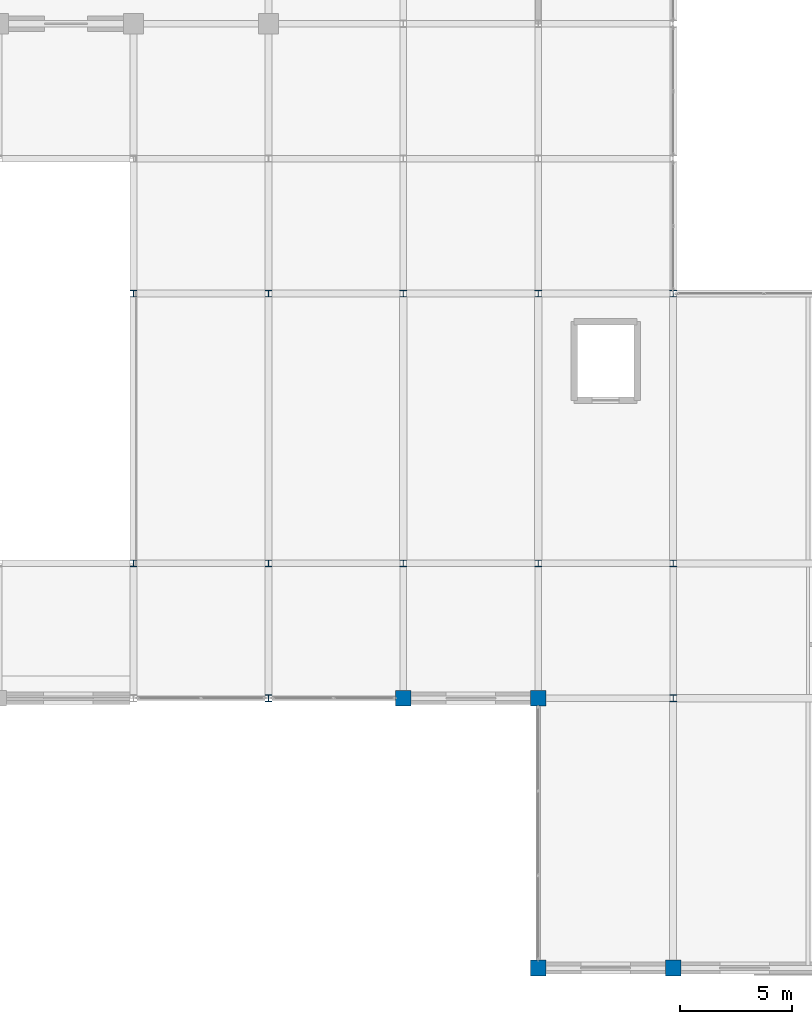
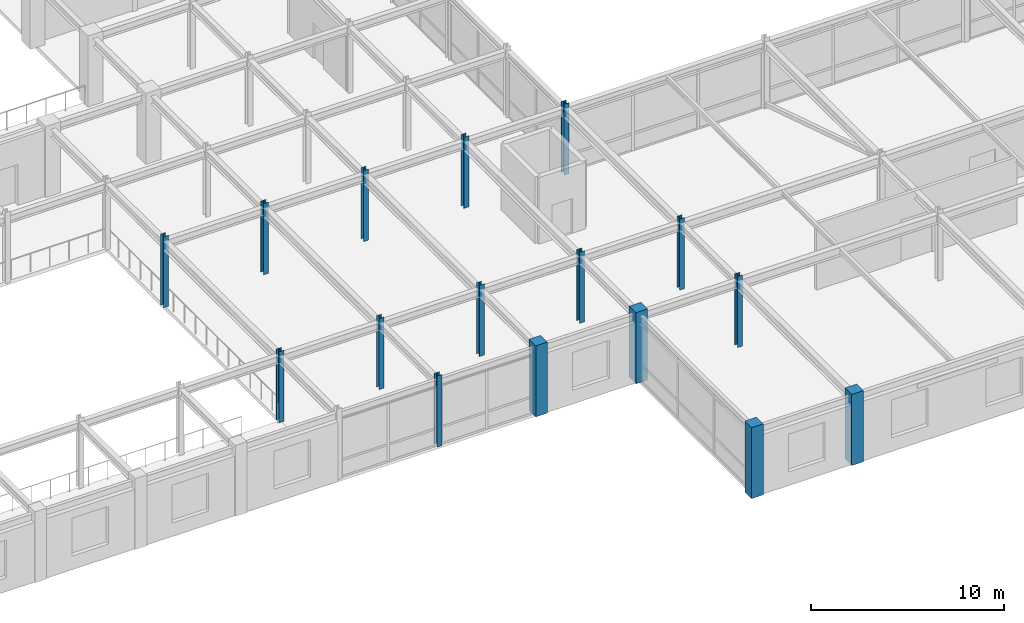
# One storey, part 7 of 108: 16 columns.
"""IFC4 building model written with IfcOpenShell, lengths in metres."""

from ifc_helpers import new_model, si_unit, direction, frame, origin, origin_2d, place, context, subcontext, project, spatial, rectangle, i_section, extrude, material, material_profile, profile_set, type_object, element, save


model = new_model("IFC4")

# Units and contexts
model_context = context("Model", 3, precision=1e-05, world=origin(), true_north=direction((0.0, 1.0)))
body_context = subcontext(model_context, "Body", "Model", "MODEL_VIEW")
ifc_project = project(units=[si_unit("LENGTHUNIT", "METRE"), si_unit("AREAUNIT", "SQUARE_METRE"), si_unit("VOLUMEUNIT", "CUBIC_METRE"), si_unit("PLANEANGLEUNIT", "RADIAN"), si_unit("MASSUNIT", "GRAM", prefix="KILO")], contexts=[model_context])

# Site, building, storey
site_placement = place(None, origin())
site = spatial("IfcSite", under=ifc_project, at=site_placement, CompositionType="ELEMENT")
building_placement = place(site_placement, origin())
building = spatial("IfcBuilding", under=site, at=building_placement, Name="Zlatovratsky Civic Hall", CompositionType="ELEMENT")
storey_placement = place(building_placement, frame((0.0, 0.0, 12.0)))
storey = spatial("IfcBuildingStorey", under=building, at=storey_placement, Name="L03", CompositionType="ELEMENT", Elevation=12.0)

# Columns
ifc_material_1 = material(Name="Concrete C35/45 (B40)", Category="concrete")
ifc_material_profile_1 = material_profile(ifc_material_1, rectangle(XDim=0.699951171875, YDim=0.699951171875, at=origin_2d()), Name="RC 700x700")
ifc_profile_set_1 = profile_set([ifc_material_profile_1], Name="Concrete C35/45 (B40)")
column_type_1 = type_object("IfcColumnType", Name="Col_CorePier_RC700", PredefinedType="COLUMN", material=ifc_profile_set_1)
for number, where, z_axis, x_axis, name in (
    (1, (114.0, 0.0, 0.0), (0.0, 0.0, 1.0), (1.0, 0.0, 0.0), "CL-1196"),
    (2, (120.0, 0.0, 0.0), (0.0, 0.0, 1.0), (1.0, 0.0, 0.0), "CL-1197"),
    (3, (108.0, 12.0, 0.0), (0.0, 0.0, 1.0), (1.0, 0.0, 0.0), "CL-1218"),
    (4, (114.0, 12.0, 0.0), (0.0, 0.0, 1.0), (1.0, 0.0, 0.0), "CL-1219"),
):
    element("IfcColumn", number, at=place(storey_placement, frame(where, z_axis=z_axis, x_axis=x_axis)), inside=storey, type_object=column_type_1, Name=name, PredefinedType="COLUMN", context=body_context, shape_type="SweptSolid", body=[
        extrude(rectangle(XDim=0.699951171875, YDim=0.699951171875, at=origin_2d()), origin(), (0.0, 0.0, 1.0), 4.5),
    ])
ifc_material_2 = material(Name="Steel S355", Category="steel")
ifc_material_profile_2 = material_profile(ifc_material_2, i_section(OverallWidth=0.299072265625, OverallDepth=0.2958984375, WebThickness=0.009033203125, FlangeThickness=0.013916015625, FilletRadius=0.01806640625, at=origin_2d()), Name="30K1")
ifc_profile_set_2 = profile_set([ifc_material_profile_2], Name="Steel S355")
column_type_2 = type_object("IfcColumnType", Name="Col_Steel_30K1", PredefinedType="COLUMN", material=ifc_profile_set_2)
for number, where, z_axis, x_axis, name in (
    (5, (102.0, 12.0, 0.0), (0.0, 0.0, 1.0), (1.0, 0.0, 0.0), "CL-1217"),
    (6, (120.0, 12.0, 0.0), (0.0, 0.0, 1.0), (1.0, 0.0, 0.0), "CL-1220"),
    (7, (96.0, 18.0, 0.0), (0.0, 0.0, 1.0), (1.0, 0.0, 0.0), "CL-1239"),
    (8, (102.0, 18.0, 0.0), (0.0, 0.0, 1.0), (1.0, 0.0, 0.0), "CL-1240"),
    (9, (108.0, 18.0, 0.0), (0.0, 0.0, 1.0), (1.0, 0.0, 0.0), "CL-1241"),
    (10, (114.0, 18.0, 0.0), (0.0, 0.0, 1.0), (1.0, 0.0, 0.0), "CL-1242"),
    (11, (120.0, 18.0, 0.0), (0.0, 0.0, 1.0), (1.0, 0.0, 0.0), "CL-1243"),
    (12, (96.0, 30.0, 0.0), (0.0, 0.0, 1.0), (1.0, 0.0, 0.0), "CL-1259"),
    (13, (102.0, 30.0, 0.0), (0.0, 0.0, 1.0), (1.0, 0.0, 0.0), "CL-1260"),
    (14, (108.0, 30.0, 0.0), (0.0, 0.0, 1.0), (1.0, 0.0, 0.0), "CL-1261"),
    (15, (114.0, 30.0, 0.0), (0.0, 0.0, 1.0), (1.0, 0.0, 0.0), "CL-1262"),
    (16, (120.0, 30.0, 0.0), (0.0, 0.0, 1.0), (1.0, 0.0, 0.0), "CL-1263"),
):
    element("IfcColumn", number, at=place(storey_placement, frame(where, z_axis=z_axis, x_axis=x_axis)), inside=storey, type_object=column_type_2, Name=name, PredefinedType="COLUMN", context=body_context, shape_type="SweptSolid", body=[
        extrude(i_section(OverallWidth=0.299072265625, OverallDepth=0.2958984375, WebThickness=0.009033203125, FlangeThickness=0.013916015625, FilletRadius=0.01806640625, at=origin_2d()), origin(), (0.0, 0.0, 1.0), 4.5),
    ])

save(model, "model.ifc")
